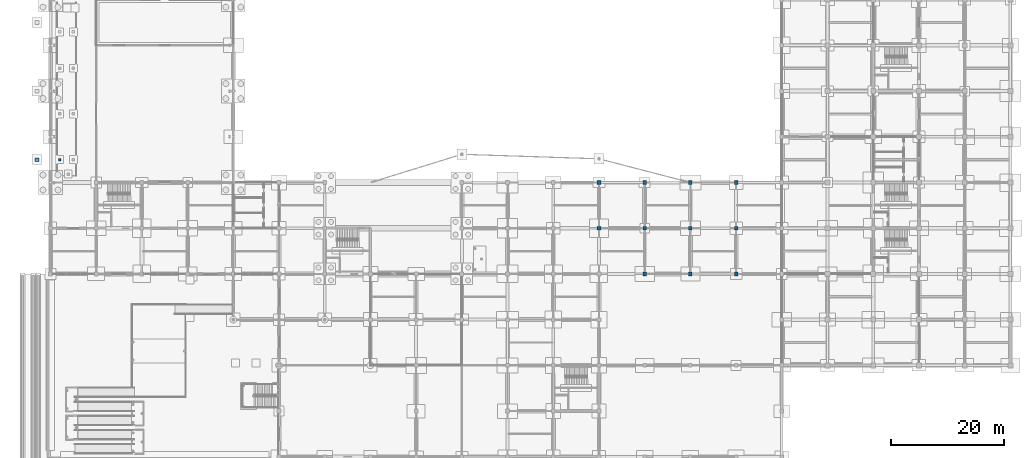
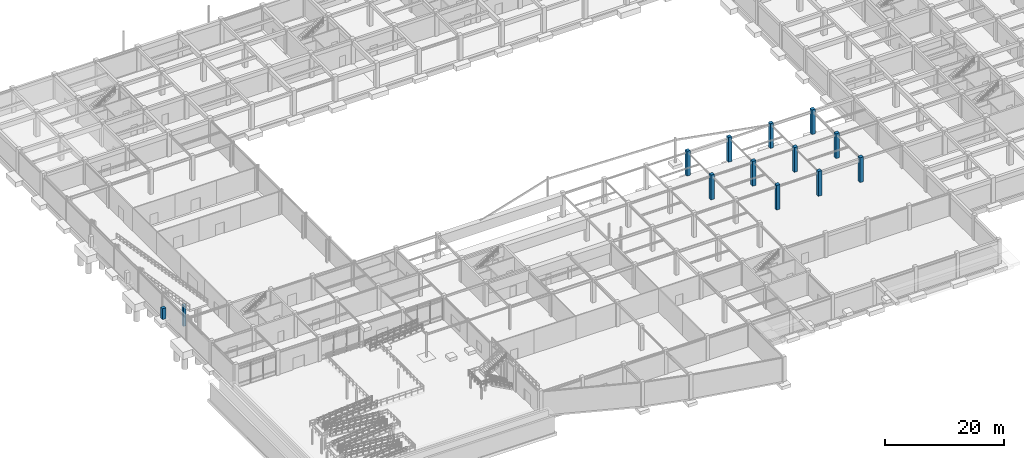
# One storey, part 17 of 67: 13 columns.
"""IFC4 building model written with IfcOpenShell, lengths in metres."""

import ifcopenshell
import ifcopenshell.guid

model = None  # the IFC model being written
_history = None  # IfcOwnerHistory: only IFC2X3 demands one
_inside = {}  # id of a spatial element -> (the spatial element, [elements in it])
_under = {}  # id of a project, library or spatial element -> (it, [spatial elements below it])
_declared = {}  # id of a project -> (the project, [libraries it declares])
_typed = {}  # id of a type object -> (the type object, [elements of that type])
_made_of = {}  # id of a material, layer set ... -> (it, [elements and type objects made of it])


def new_model(schema):
    """Start an empty IFC model of exactly this schema.

    Asked for "IFC4X3", IfcOpenShell would pick the latest addendum, in which some entities
    have other attributes; the version numbers below select the first issue.
    IFC2X3 requires an IfcOwnerHistory on every rooted entity: one is made here for all.
    """
    global model, _history
    if schema == "IFC4X3":
        model = ifcopenshell.file(schema_version=(4, 3, 0, 0))
    else:
        model = ifcopenshell.file(schema=schema)
    _inside.clear()
    _under.clear()
    _declared.clear()
    _typed.clear()
    _made_of.clear()
    _history = None
    if model.schema == "IFC2X3":
        org = make("IfcOrganization", Name="unknown")
        user = make(
            "IfcPersonAndOrganization",
            ThePerson=make("IfcPerson", FamilyName="unknown"),
            TheOrganization=org,
        )
        app = make(
            "IfcApplication",
            ApplicationDeveloper=org,
            Version="unknown",
            ApplicationFullName="unknown",
            ApplicationIdentifier="unknown",
        )
        _history = make(
            "IfcOwnerHistory",
            OwningUser=user,
            OwningApplication=app,
            ChangeAction="ADDED",
            CreationDate=0,
        )
    return model


def make(cls, **values):
    """One entity of the class cls with the attributes given. An attribute that is None is left unset."""
    return model.create_entity(
        cls, **{name: value for name, value in values.items() if value is not None}
    )


def rooted(cls, **values):
    """An entity with a GlobalId (a new one), such as an element, a storey or a relation."""
    return make(cls, GlobalId=ifcopenshell.guid.new(), OwnerHistory=_history, **values)


def si_unit(unit_type, name, prefix=None):
    """IfcSIUnit, for example si_unit("LENGTHUNIT", "METRE", prefix="MILLI")."""
    return make("IfcSIUnit", UnitType=unit_type, Prefix=prefix, Name=name)


def assignment(units):
    """IfcUnitAssignment: the units of a project."""
    return None if units is None else make("IfcUnitAssignment", Units=units)


def point(xyz):
    """IfcCartesianPoint."""
    return None if xyz is None else make("IfcCartesianPoint", Coordinates=xyz)


def direction(xyz):
    """IfcDirection."""
    return None if xyz is None else make("IfcDirection", DirectionRatios=xyz)


def frame(location, z_axis=None, x_axis=None):
    """IfcAxis2Placement3D, a coordinate frame: its origin and axes. An axis left out is left unset."""
    return make(
        "IfcAxis2Placement3D",
        Location=point(location),
        Axis=direction(z_axis),
        RefDirection=direction(x_axis),
    )


def frame_2d(location, x_axis=None):
    """IfcAxis2Placement2D, a coordinate frame in the plane: its origin and x axis."""
    return make(
        "IfcAxis2Placement2D", Location=point(location), RefDirection=direction(x_axis)
    )


def origin():
    """The frame at (0, 0, 0) with its axes left unset."""
    return frame((0.0, 0.0, 0.0))


def origin_2d():
    """The frame at (0, 0) in the plane with its x axis left unset."""
    return frame_2d((0.0, 0.0))


def place(relative_to, where):
    """IfcLocalPlacement: puts the frame where relative to a parent placement (None: the world)."""
    return make(
        "IfcLocalPlacement", PlacementRelTo=relative_to, RelativePlacement=where
    )


def context(
    kind, dimensions, precision=None, world=None, true_north=None, identifier=None
):
    """IfcGeometricRepresentationContext, for example the 3D "Model" context."""
    return make(
        "IfcGeometricRepresentationContext",
        ContextIdentifier=identifier,
        ContextType=kind,
        CoordinateSpaceDimension=dimensions,
        Precision=precision,
        WorldCoordinateSystem=world,
        TrueNorth=true_north,
    )


def subcontext(parent, identifier, kind, view, scale=None):
    """IfcGeometricRepresentationSubContext, for example "Body" below "Model"."""
    return make(
        "IfcGeometricRepresentationSubContext",
        ContextIdentifier=identifier,
        ContextType=kind,
        ParentContext=parent,
        TargetScale=scale,
        TargetView=view,
    )


def project(units=None, contexts=None):
    """IfcProject with its units and contexts."""
    return rooted(
        "IfcProject",
        Name="project",
        RepresentationContexts=contexts,
        UnitsInContext=assignment(units),
    )


def spatial(cls, under=None, at=None, **own):
    """A site, building, storey or space (cls), placed at a placement, below another one or the project."""
    s = rooted(cls, ObjectPlacement=at, **own)
    if under is not None:
        _under.setdefault(under.id(), (under, []))[1].append(s)
    return s


def profile(cls, at=None, kind="AREA", **sizes):
    """A parametric profile (cls). Its sizes go by their IFC names, for example OverallWidth=200.0."""
    return make(cls, ProfileType=kind, Position=at, **sizes)


def rectangle(**sizes):
    """IfcRectangleProfileDef."""
    return profile("IfcRectangleProfileDef", **sizes)


def extrude(swept, where, along, depth):
    """IfcExtrudedAreaSolid: the profile swept, set in the frame where, extruded along a direction by depth."""
    return make(
        "IfcExtrudedAreaSolid",
        SweptArea=swept,
        Position=where,
        ExtrudedDirection=direction(along),
        Depth=depth,
    )


def shape(context_of_items, identifier, shape_type, items):
    """IfcShapeRepresentation: the items that make up one representation, for example the "Body"."""
    return make(
        "IfcShapeRepresentation",
        ContextOfItems=context_of_items,
        RepresentationIdentifier=identifier,
        RepresentationType=shape_type,
        Items=items,
    )


def material(Name=None, Category=None):
    """IfcMaterial."""
    return make("IfcMaterial", Name=Name, Category=Category)


def material_profile(
    of_material, cross_section, Name=None, Category=None, Priority=None
):
    """IfcMaterialProfile: a cross section and its material."""
    return make(
        "IfcMaterialProfile",
        Name=Name,
        Material=of_material,
        Profile=cross_section,
        Priority=Priority,
        Category=Category,
    )


def profile_set(profiles, Name=None, composite=None):
    """IfcMaterialProfileSet."""
    return make(
        "IfcMaterialProfileSet",
        Name=Name,
        MaterialProfiles=profiles,
        CompositeProfile=composite,
    )


def made_of(thing, what):
    """Note that an element or type object is made of a material, layer set ...; save() writes the relation."""
    if what is not None:
        _made_of.setdefault(what.id(), (what, []))[1].append(thing)
    return thing


def type_object(cls, material=None, **own):
    """A type object (cls), such as IfcWallType, which elements share."""
    return made_of(rooted(cls, **own), material)


def element(
    cls,
    number,
    at=None,
    inside=None,
    cuts=None,
    type_object=None,
    material=None,
    context=None,
    identifier="Body",
    shape_type=None,
    held_by="IfcProductDefinitionShape",
    body=None,
    shapes=None,
    **own,
):
    """One element of the class cls, such as IfcWall. Its Tag is "e" and its number.

    at: its placement. inside: the storey or other place that contains it. cuts: it is an
    opening in that element (IfcRelVoidsElement). A single representation is given by context,
    identifier, shape_type and body (its items); several are given by shapes. held_by: the class
    of the entity that holds the representations. save() writes the other relations.
    """
    e = rooted(cls, Tag="e%d" % number, ObjectPlacement=at, **own)
    if body is not None:
        shapes = [shape(context, identifier, shape_type, body)]
    if shapes is not None:
        e.Representation = make(held_by, Representations=shapes)
    if inside is not None:
        _inside.setdefault(inside.id(), (inside, []))[1].append(e)
    if cuts is not None:
        rooted(
            "IfcRelVoidsElement", RelatingBuildingElement=cuts, RelatedOpeningElement=e
        )
    if type_object is not None:
        _typed.setdefault(type_object.id(), (type_object, []))[1].append(e)
    return made_of(e, material)


def aggregate(whole, parts):
    """IfcRelAggregates: a whole, such as a stair, and the parts it consists of."""
    return rooted("IfcRelAggregates", RelatingObject=whole, RelatedObjects=parts)


def save(model, path):
    """Write the relations noted so far, then the file.

    IfcRelAggregates (storeys below a building ...), IfcRelContainedInSpatialStructure (elements
    in a storey), IfcRelDefinesByType, IfcRelAssociatesMaterial and IfcRelDeclares: one each for
    every whole, place, type object, material and project.
    """
    for whole, parts in _under.values():
        aggregate(whole, parts)
    for where, things in _inside.values():
        rooted(
            "IfcRelContainedInSpatialStructure",
            RelatedElements=things,
            RelatingStructure=where,
        )
    for kind, things in _typed.values():
        rooted("IfcRelDefinesByType", RelatedObjects=things, RelatingType=kind)
    for what, things in _made_of.values():
        rooted("IfcRelAssociatesMaterial", RelatedObjects=things, RelatingMaterial=what)
    for by, libraries in _declared.values():
        rooted("IfcRelDeclares", RelatingContext=by, RelatedDefinitions=libraries)
    model.write(path)


model = new_model("IFC4")

# Units and contexts
model_context = context("Model", 3, precision=1e-05, world=origin(), true_north=direction((0.0, 1.0)))
body_context = subcontext(model_context, "Body", "Model", "MODEL_VIEW")
ifc_project = project(units=[si_unit("LENGTHUNIT", "METRE"), si_unit("AREAUNIT", "SQUARE_METRE"), si_unit("VOLUMEUNIT", "CUBIC_METRE"), si_unit("PLANEANGLEUNIT", "RADIAN"), si_unit("MASSUNIT", "GRAM", prefix="KILO")], contexts=[model_context])

# Site, building, storey
site_placement = place(None, origin())
site = spatial("IfcSite", under=ifc_project, at=site_placement, CompositionType="ELEMENT")
building_placement = place(site_placement, origin())
building = spatial("IfcBuilding", under=site, at=building_placement, Name="Vaudrelin Polytechnic", CompositionType="ELEMENT")
storey_placement = place(building_placement, frame((0.0, 0.0, -5.10009765625)))
storey = spatial("IfcBuildingStorey", under=building, at=storey_placement, Name="B1", CompositionType="ELEMENT", Elevation=-5.10009765625)

# Columns
ifc_material = material(Name="Concrete 40 MPa", Category="concrete")
ifc_material_profile_1 = material_profile(ifc_material, rectangle(XDim=0.449951171875, YDim=0.449951171875, at=origin_2d()), Name="RC450x450")
ifc_profile_set_1 = profile_set([ifc_material_profile_1], Name="Concrete 40 MPa")
column_type_1 = type_object("IfcColumnType", Name="COL-C-RC450", PredefinedType="COLUMN", material=ifc_profile_set_1)
column_1_placement = place(storey_placement, frame((1.64990234375, 52.64990234375, 0.0), z_axis=(0.0, 0.0, 1.0), x_axis=(1.0, 0.0, 0.0)))
element("IfcColumn", 1, at=column_1_placement, inside=storey, type_object=column_type_1, Name="Vehicle ramp support pier VRMP-M1W", PredefinedType="COLUMN", context=body_context, shape_type="SweptSolid", body=[
    extrude(rectangle(XDim=0.449951171875, YDim=0.449951171875, at=origin_2d()), origin(), (0.0, 0.0, 1.0), 4.329833984375),
])
ifc_material_profile_2 = material_profile(ifc_material, rectangle(XDim=0.64990234375, YDim=0.64990234375, at=origin_2d()), Name="RC650x650")
ifc_profile_set_2 = profile_set([ifc_material_profile_2], Name="Concrete 40 MPa")
column_type_2 = type_object("IfcColumnType", Name="COL-C-RC650", PredefinedType="COLUMN", material=ifc_profile_set_2)
for number, where, z_axis, x_axis, name in (
    (2, (97.199951171875, 40.5, 0.0), (0.0, 0.0, 1.0), (1.0, 0.0, 0.0), "Column B1 13-6"),
    (3, (97.199951171875, 48.60009765625, 0.0), (0.0, 0.0, 1.0), (1.0, 0.0, 0.0), "Column B1 13-7"),
    (4, (105.300048828125, 32.39990234375, 0.0), (0.0, 0.0, 1.0), (1.0, 0.0, 0.0), "Column B1 14-5"),
    (5, (105.300048828125, 40.5, 0.0), (0.0, 0.0, 1.0), (1.0, 0.0, 0.0), "Column B1 14-6"),
    (6, (105.300048828125, 48.60009765625, 0.0), (0.0, 0.0, 1.0), (1.0, 0.0, 0.0), "Column B1 14-7"),
    (7, (113.39990234375, 32.39990234375, 0.0), (0.0, 0.0, 1.0), (1.0, 0.0, 0.0), "Column B1 15-5"),
    (8, (113.39990234375, 40.5, 0.0), (0.0, 0.0, 1.0), (1.0, 0.0, 0.0), "Column B1 15-6"),
    (9, (113.39990234375, 48.60009765625, 0.0), (0.0, 0.0, 1.0), (1.0, 0.0, 0.0), "Column B1 15-7"),
    (10, (121.5, 32.39990234375, 0.0), (0.0, 0.0, 1.0), (1.0, 0.0, 0.0), "Column B1 16-5"),
    (11, (121.5, 40.5, 0.0), (0.0, 0.0, 1.0), (1.0, 0.0, 0.0), "Column B1 16-6"),
    (12, (121.5, 48.60009765625, 0.0), (0.0, 0.0, 1.0), (1.0, 0.0, 0.0), "Column B1 16-7"),
):
    element("IfcColumn", number, at=place(storey_placement, frame(where, z_axis=z_axis, x_axis=x_axis)), inside=storey, type_object=column_type_2, Name=name, PredefinedType="COLUMN", context=body_context, shape_type="SweptSolid", body=[
        extrude(rectangle(XDim=0.64990234375, YDim=0.64990234375, at=origin_2d()), origin(), (0.0, 0.0, 1.0), 5.10009765625),
    ])
column_2_placement = place(storey_placement, frame((-2.39990234375, 52.64990234375, 2.920166015625), z_axis=(0.0, 0.0, 1.0), x_axis=(1.0, 0.0, 0.0)))
element("IfcColumn", 13, at=column_2_placement, inside=storey, type_object=column_type_2, Name="Workshop street V-strut concrete pedestal 6", PredefinedType="COLUMN", context=body_context, shape_type="SweptSolid", body=[
    extrude(rectangle(XDim=0.64990234375, YDim=0.64990234375, at=origin_2d()), origin(), (0.0, 0.0, 1.0), 2.22998046875),
])

save(model, "model.ifc")
